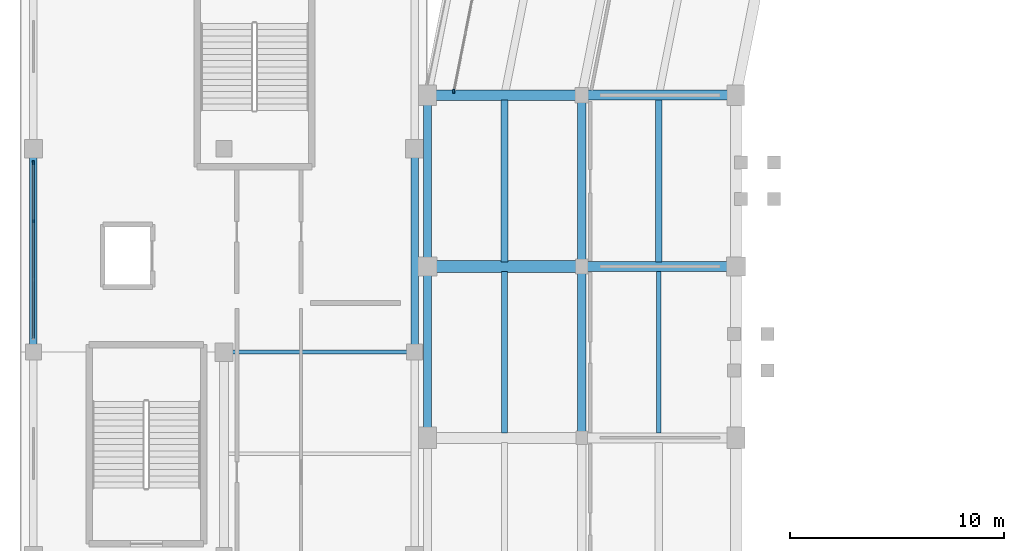
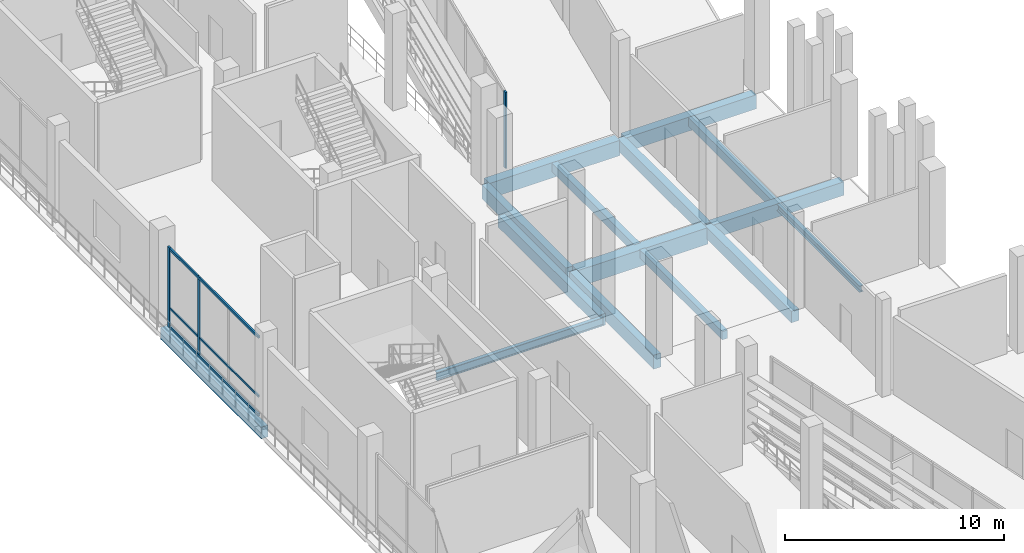
# One storey, part 27 of 114: 15 beams, 6 members, 2 elements without a shape of their own.
"""IFC4 building model written with IfcOpenShell, lengths in metres."""

from ifc_helpers import new_model, si_unit, direction, frame, origin, origin_2d, place, context, subcontext, project, spatial, rectangle, i_section, extrude, material, material_profile, profile_set, type_object, element, aggregate, save


model = new_model("IFC4")

# Units and contexts
model_context = context("Model", 3, precision=1e-05, world=origin(), true_north=direction((0.0, 1.0)))
body_context = subcontext(model_context, "Body", "Model", "MODEL_VIEW")
ifc_project = project(units=[si_unit("LENGTHUNIT", "METRE"), si_unit("AREAUNIT", "SQUARE_METRE"), si_unit("VOLUMEUNIT", "CUBIC_METRE"), si_unit("PLANEANGLEUNIT", "RADIAN"), si_unit("MASSUNIT", "GRAM", prefix="KILO")], contexts=[model_context])

# Site, building, storey
site_placement = place(None, origin())
site = spatial("IfcSite", under=ifc_project, at=site_placement, CompositionType="ELEMENT")
building_placement = place(site_placement, origin())
building = spatial("IfcBuilding", under=site, at=building_placement, Name="Candeia Ridge Stadium", CompositionType="ELEMENT")
storey_placement = place(building_placement, frame((0.0, 0.0, 5.39990234375)))
storey = spatial("IfcBuildingStorey", under=building, at=storey_placement, Name="L01", CompositionType="ELEMENT", Elevation=5.39990234375)

# Beams
ifc_material_1 = material(Name="Concrete C45/55", Category="concrete")
ifc_material_profile_1 = material_profile(ifc_material_1, rectangle(XDim=0.449951171875, YDim=0.75, at=origin_2d()), Name="RC450x750", Category="concrete")
ifc_profile_set_1 = profile_set([ifc_material_profile_1], Name="Concrete C45/55")
beam_type_1 = type_object("IfcBeamType", Name="Bowl Radial Girder RC450x750", PredefinedType="BEAM", material=ifc_profile_set_1)
beam_1_placement = place(storey_placement, frame((33.239990234375, 87.0, -0.635009765625), z_axis=(-1.0, 0.0, 0.0), x_axis=(0.0, -1.0, 0.0)))
element("IfcBeam", 1, at=beam_1_placement, inside=storey, type_object=beam_type_1, Name="Bowl radial girder BM-L01-0025", PredefinedType="BEAM", context=body_context, shape_type="SweptSolid", body=[
    extrude(rectangle(XDim=0.449951171875, YDim=0.75, at=origin_2d()), origin(), (0.0, 0.0, 1.0), 6.8798828125),
])
ifc_material_2 = material(Name="Steel ASTM A572 Grade 50", Category="steel")
ifc_material_profile_2 = material_profile(ifc_material_2, i_section(OverallWidth=0.205078125, OverallDepth=0.35400390625, WebThickness=0.009521484375, FlangeThickness=0.016845703125, FilletRadius=0.014892578125, at=origin_2d()), Name="W360x79", Category="steel")
ifc_profile_set_2 = profile_set([ifc_material_profile_2], Name="Steel ASTM A572 Grade 50")
beam_type_2 = type_object("IfcBeamType", Name="Concourse Secondary Joist W360x79", PredefinedType="JOIST", material=ifc_profile_set_2)
beam_2_placement = place(storey_placement, frame((29.800048828125, 86.778076171875, -0.43701171875), z_axis=(0.0, -1.0, 0.0), x_axis=(1.0, 0.0, 0.0)))
element("IfcBeam", 2, at=beam_2_placement, inside=storey, type_object=beam_type_2, Name="Concourse secondary joist BM-L01-0131", PredefinedType="JOIST", context=body_context, shape_type="SweptSolid", body=[
    extrude(i_section(OverallWidth=0.205078125, OverallDepth=0.35400390625, WebThickness=0.009521484375, FlangeThickness=0.016845703125, FilletRadius=0.014892578125, at=origin_2d()), origin(), (0.0, 0.0, 1.0), 7.55615234375),
])

# Curtain wall, member
ifc_material_3 = material(Name="Aluminium Anodized Warm Bronze", Category="aluminium")
curtain_wall_type_1 = type_object("IfcCurtainWallType", Name="Concourse Recessed Unitised Curtain Wall", PredefinedType="NOTDEFINED", material=ifc_material_3)
curtain_wall_1_placement = place(storey_placement, origin())
curtain_wall_1 = element("IfcCurtainWall", 3, at=curtain_wall_1_placement, inside=storey, type_object=curtain_wall_type_1, Name="Unitised curtain wall CW-BWL-L01-10", PredefinedType="NOTDEFINED")
ifc_material_profile_3 = material_profile(ifc_material_3, rectangle(XDim=0.090087890625, YDim=0.179931640625, at=origin_2d()), Name="CWM-90x180", Category="aluminium")
ifc_profile_set_3 = profile_set([ifc_material_profile_3], Name="Aluminium Anodized Warm Bronze")
member_type_1 = type_object("IfcMemberType", Name="Curtain Wall Primary Mullion 90x180", PredefinedType="MULLION", material=ifc_profile_set_3)
member_1_placement = place(storey_placement, frame((20.235107421875, 95.176513671875, 0.0), z_axis=(0.0, 0.0, 1.0), x_axis=(1.0, 0.0, 0.0)))
member_1 = element("IfcMember", 4, at=member_1_placement, type_object=member_type_1, Name="Curtain wall mullion CW-BWL-L01-10-M7", PredefinedType="MULLION", context=body_context, shape_type="SweptSolid", body=[
    extrude(rectangle(XDim=0.090087890625, YDim=0.179931640625, at=origin_2d()), origin(), (0.0, 0.0, 1.0), 4.2451171875),
])
aggregate(curtain_wall_1, [member_1])

# Curtain wall, members
curtain_wall_type_2 = type_object("IfcCurtainWallType", Name="Cardinal Entrance Gate Tall Glazed Curtain Wall", PredefinedType="NOTDEFINED", material=ifc_material_3)
curtain_wall_2_placement = place(storey_placement, origin())
curtain_wall_2 = element("IfcCurtainWall", 5, at=curtain_wall_2_placement, inside=storey, type_object=curtain_wall_type_2, Name="Unitised curtain wall CW-WNG-L01-078", PredefinedType="NOTDEFINED")
member_2_placement = place(storey_placement, frame((0.60009765625, 91.840087890625, 0.0), z_axis=(0.0, 0.0, 1.0), x_axis=(1.0, 0.0, 0.0)))
member_2 = element("IfcMember", 6, at=member_2_placement, type_object=member_type_1, Name="Curtain wall mullion CW-WNG-L01-078-M3", PredefinedType="MULLION", context=body_context, shape_type="SweptSolid", body=[
    extrude(rectangle(XDim=0.090087890625, YDim=0.179931640625, at=origin_2d()), origin(), (0.0, 0.0, 1.0), 4.47509765625),
])
ifc_material_profile_4 = material_profile(ifc_material_3, rectangle(XDim=0.074951171875, YDim=0.14990234375, at=origin_2d()), Name="CWM-75x150", Category="aluminium")
ifc_profile_set_4 = profile_set([ifc_material_profile_4], Name="Aluminium Anodized Warm Bronze")
member_type_2 = type_object("IfcMemberType", Name="Curtain Wall Secondary Mullion 75x150", PredefinedType="MULLION", material=ifc_profile_set_4)
member_3_placement = place(storey_placement, frame((0.60009765625, 89.11328125, 0.0), z_axis=(0.0, 0.0, 1.0), x_axis=(1.0, 0.0, 0.0)))
member_3 = element("IfcMember", 7, at=member_3_placement, type_object=member_type_2, Name="Curtain wall mullion CW-WNG-L01-078-M2", PredefinedType="MULLION", context=body_context, shape_type="SweptSolid", body=[
    extrude(rectangle(XDim=0.074951171875, YDim=0.14990234375, at=origin_2d()), origin(), (0.0, 0.0, 1.0), 4.47509765625),
])
ifc_material_profile_5 = material_profile(ifc_material_3, rectangle(XDim=0.074951171875, YDim=0.110107421875, at=origin_2d()), Name="CWT-75x110", Category="aluminium")
ifc_profile_set_5 = profile_set([ifc_material_profile_5], Name="Aluminium Anodized Warm Bronze")
member_type_3 = type_object("IfcMemberType", Name="Curtain Wall Secondary Transom 75x110", PredefinedType="USERDEFINED", material=ifc_profile_set_5)
member_4_placement = place(storey_placement, frame((0.60009765625, 83.659912109375, 1.10009765625), z_axis=(0.0, 1.0, 0.0), x_axis=(-1.0, 0.0, 0.0)))
member_4 = element("IfcMember", 8, at=member_4_placement, type_object=member_type_3, Name="Curtain wall transom CW-WNG-L01-078-T1", ObjectType="TRANSOM", PredefinedType="USERDEFINED", context=body_context, shape_type="SweptSolid", body=[
    extrude(rectangle(XDim=0.074951171875, YDim=0.110107421875, at=origin_2d()), origin(), (0.0, 0.0, 1.0), 8.18017578125),
])
ifc_material_profile_6 = material_profile(ifc_material_3, rectangle(XDim=0.090087890625, YDim=0.139892578125, at=origin_2d()), Name="CWT-90x140", Category="aluminium")
ifc_profile_set_6 = profile_set([ifc_material_profile_6], Name="Aluminium Anodized Warm Bronze")
member_type_4 = type_object("IfcMemberType", Name="Curtain Wall Transom 90x140", PredefinedType="USERDEFINED", material=ifc_profile_set_6)
member_5_placement = place(storey_placement, frame((0.60009765625, 83.659912109375, 0.070068359375), z_axis=(0.0, 1.0, 0.0), x_axis=(-1.0, 0.0, 0.0)))
member_5 = element("IfcMember", 9, at=member_5_placement, type_object=member_type_4, Name="Curtain wall transom CW-WNG-L01-078-T0", ObjectType="TRANSOM", PredefinedType="USERDEFINED", context=body_context, shape_type="SweptSolid", body=[
    extrude(rectangle(XDim=0.090087890625, YDim=0.139892578125, at=origin_2d()), origin(), (0.0, 0.0, 1.0), 8.18017578125),
])
member_6_placement = place(storey_placement, frame((0.60009765625, 83.659912109375, 4.405029296875), z_axis=(0.0, 1.0, 0.0), x_axis=(-1.0, 0.0, 0.0)))
member_6 = element("IfcMember", 10, at=member_6_placement, type_object=member_type_4, Name="Curtain wall transom CW-WNG-L01-078-T2", ObjectType="TRANSOM", PredefinedType="USERDEFINED", context=body_context, shape_type="SweptSolid", body=[
    extrude(rectangle(XDim=0.090087890625, YDim=0.139892578125, at=origin_2d()), origin(), (0.0, 0.0, 1.0), 8.18017578125),
])
aggregate(curtain_wall_2, [member_3, member_2, member_5, member_4, member_6])

# Beams
ifc_material_4 = material(Name="Concrete C40/50", Category="concrete")
ifc_material_profile_7 = material_profile(ifc_material_4, rectangle(XDim=0.280029296875, YDim=0.4599609375, at=origin_2d()), Name="RC280x460", Category="concrete")
ifc_profile_set_7 = profile_set([ifc_material_profile_7], Name="Concrete C40/50")
beam_type_3 = type_object("IfcBeamType", Name="Floor Joist RC280x460", PredefinedType="JOIST", material=ifc_profile_set_7)
beam_3_placement = place(storey_placement, frame((22.60009765625, 86.778076171875, -0.489990234375), z_axis=(0.0, -1.0, 0.0), x_axis=(1.0, 0.0, 0.0)))
element("IfcBeam", 11, at=beam_3_placement, inside=storey, type_object=beam_type_3, Name="Concourse secondary joist BM-L01-0132", PredefinedType="JOIST", context=body_context, shape_type="SweptSolid", body=[
    extrude(rectangle(XDim=0.280029296875, YDim=0.4599609375, at=origin_2d()), origin(), (0.0, 0.0, 1.0), 7.55615234375),
])
ifc_material_profile_8 = material_profile(ifc_material_4, rectangle(XDim=0.31005859375, YDim=0.489990234375, at=origin_2d()), Name="RC310x490", Category="concrete")
ifc_profile_set_8 = profile_set([ifc_material_profile_8], Name="Concrete C40/50")
beam_type_4 = type_object("IfcBeamType", Name="Floor Joist RC310x490", PredefinedType="JOIST", material=ifc_profile_set_8)
beam_4_placement = place(storey_placement, frame((29.800048828125, 94.778076171875, -0.5048828125), z_axis=(0.0, -1.0, 0.0), x_axis=(1.0, 0.0, 0.0)))
element("IfcBeam", 12, at=beam_4_placement, inside=storey, type_object=beam_type_4, Name="Concourse secondary joist BM-L01-0126", PredefinedType="JOIST", context=body_context, shape_type="SweptSolid", body=[
    extrude(rectangle(XDim=0.31005859375, YDim=0.489990234375, at=origin_2d()), origin(), (0.0, 0.0, 1.0), 7.55615234375),
])
ifc_material_profile_9 = material_profile(ifc_material_4, rectangle(XDim=0.320068359375, YDim=0.47998046875, at=origin_2d()), Name="RC320x480", Category="concrete")
ifc_profile_set_9 = profile_set([ifc_material_profile_9], Name="Concrete C40/50")
beam_type_5 = type_object("IfcBeamType", Name="Floor Joist RC320x480", PredefinedType="JOIST", material=ifc_profile_set_9)
beam_5_placement = place(storey_placement, frame((22.60009765625, 94.778076171875, -0.5), z_axis=(0.0, -1.0, 0.0), x_axis=(1.0, 0.0, 0.0)))
element("IfcBeam", 13, at=beam_5_placement, inside=storey, type_object=beam_type_5, Name="Concourse secondary joist BM-L01-0127", PredefinedType="JOIST", context=body_context, shape_type="SweptSolid", body=[
    extrude(rectangle(XDim=0.320068359375, YDim=0.47998046875, at=origin_2d()), origin(), (0.0, 0.0, 1.0), 7.55615234375),
])
ifc_material_profile_10 = material_profile(ifc_material_4, rectangle(XDim=0.4599609375, YDim=0.780029296875, at=origin_2d()), Name="RC460x780", Category="concrete")
ifc_profile_set_10 = profile_set([ifc_material_profile_10], Name="Concrete C40/50")
beam_type_6 = type_object("IfcBeamType", Name="Frame Girder RC460x780", PredefinedType="BEAM", material=ifc_profile_set_10)
beam_6_placement = place(storey_placement, frame((33.239990234375, 95.0, -0.64990234375), z_axis=(-1.0, 0.0, 0.0), x_axis=(0.0, -1.0, 0.0)))
element("IfcBeam", 14, at=beam_6_placement, inside=storey, type_object=beam_type_6, Name="Bowl radial girder BM-L01-0023", PredefinedType="BEAM", context=body_context, shape_type="SweptSolid", body=[
    extrude(rectangle(XDim=0.4599609375, YDim=0.780029296875, at=origin_2d()), origin(), (0.0, 0.0, 1.0), 6.8798828125),
])
ifc_material_profile_11 = material_profile(ifc_material_1, rectangle(XDim=0.5, YDim=0.85009765625, at=origin_2d()), Name="RC500x850", Category="concrete")
ifc_profile_set_11 = profile_set([ifc_material_profile_11], Name="Concrete C45/55")
beam_type_7 = type_object("IfcBeamType", Name="Frame Girder RC500x850", PredefinedType="BEAM", material=ifc_profile_set_11)
beam_7_placement = place(storey_placement, frame((26.0400390625, 95.0, -0.684814453125), z_axis=(-1.0, 0.0, 0.0), x_axis=(0.0, -1.0, 0.0)))
element("IfcBeam", 15, at=beam_7_placement, inside=storey, type_object=beam_type_7, Name="Bowl radial girder BM-L01-0024", PredefinedType="BEAM", context=body_context, shape_type="SweptSolid", body=[
    extrude(rectangle(XDim=0.5, YDim=0.85009765625, at=origin_2d()), origin(), (0.0, 0.0, 1.0), 6.880126953125),
])
ifc_material_profile_12 = material_profile(ifc_material_1, rectangle(XDim=0.550048828125, YDim=0.919921875, at=origin_2d()), Name="RC550x920", Category="concrete")
ifc_profile_set_12 = profile_set([ifc_material_profile_12], Name="Concrete C45/55")
beam_type_8 = type_object("IfcBeamType", Name="Frame Girder RC550x920", PredefinedType="BEAM", material=ifc_profile_set_12)
beam_8_placement = place(storey_placement, frame((26.0400390625, 87.0, -0.719970703125), z_axis=(-1.0, 0.0, 0.0), x_axis=(0.0, -1.0, 0.0)))
element("IfcBeam", 16, at=beam_8_placement, inside=storey, type_object=beam_type_8, Name="Bowl radial girder BM-L01-0026", PredefinedType="BEAM", context=body_context, shape_type="SweptSolid", body=[
    extrude(rectangle(XDim=0.550048828125, YDim=0.919921875, at=origin_2d()), origin(), (0.0, 0.0, 1.0), 6.880126953125),
])
ifc_material_profile_13 = material_profile(ifc_material_2, i_section(OverallWidth=0.18994140625, OverallDepth=0.45703125, WebThickness=0.009033203125, FlangeThickness=0.014404296875, FilletRadius=0.012939453125, at=origin_2d()), Name="W460x74", Category="steel")
ifc_profile_set_13 = profile_set([ifc_material_profile_13], Name="Steel ASTM A572 Grade 50")
beam_type_9 = type_object("IfcBeamType", Name="Pavilion Steel Girder W460x74", PredefinedType="BEAM", material=ifc_profile_set_13)
beam_9_placement = place(storey_placement, frame((9.550048828125, 83.0, -0.48828125), z_axis=(1.0, 0.0, 0.0), x_axis=(0.0, 1.0, 0.0)))
element("IfcBeam", 17, at=beam_9_placement, inside=storey, type_object=beam_type_9, Name="Structural girder BM-L01-1102", PredefinedType="BEAM", context=body_context, shape_type="SweptSolid", body=[
    extrude(i_section(OverallWidth=0.18994140625, OverallDepth=0.45703125, WebThickness=0.009033203125, FlangeThickness=0.014404296875, FilletRadius=0.012939453125, at=origin_2d()), origin(), (0.0, 0.0, 1.0), 8.800048828125),
])
ifc_material_profile_14 = material_profile(ifc_material_4, rectangle(XDim=0.35009765625, YDim=0.64990234375, at=origin_2d()), Name="RC350x650", Category="concrete")
ifc_profile_set_14 = profile_set([ifc_material_profile_14], Name="Concrete C40/50")
beam_type_10 = type_object("IfcBeamType", Name="Spandrel Beam RC350x650", PredefinedType="SPANDREL", material=ifc_profile_set_14)
for number, where, z_axis, x_axis, name in (
    (18, (0.60009765625, 83.159912109375, -0.5849609375), (0.0, 1.0, 0.0), (-1.0, 0.0, 0.0), "Structural girder BM-L01-1040"),
    (19, (18.39990234375, 83.159912109375, -0.5849609375), (0.0, 1.0, 0.0), (-1.0, 0.0, 0.0), "Structural girder BM-L01-1065"),
):
    element("IfcBeam", number, at=place(storey_placement, frame(where, z_axis=z_axis, x_axis=x_axis)), inside=storey, type_object=beam_type_10, Name=name, PredefinedType="SPANDREL", context=body_context, shape_type="SweptSolid", body=[
        extrude(rectangle(XDim=0.35009765625, YDim=0.64990234375, at=origin_2d()), origin(), (0.0, 0.0, 1.0), 9.18017578125),
    ])
ifc_material_profile_15 = material_profile(ifc_material_1, rectangle(XDim=0.3798828125, YDim=0.780029296875, at=origin_2d()), Name="RC380x780", Category="concrete")
ifc_profile_set_15 = profile_set([ifc_material_profile_15], Name="Concrete C45/55")
beam_type_11 = type_object("IfcBeamType", Name="Spandrel Beam RC380x780", PredefinedType="SPANDREL", material=ifc_profile_set_15)
for number, where, z_axis, x_axis, name in (
    (20, (19.0, 94.840087890625, -0.64990234375), (0.0, -1.0, 0.0), (1.0, 0.0, 0.0), "Bowl perimeter spandrel BM-L01-0125"),
    (21, (19.0, 86.840087890625, -0.64990234375), (0.0, -1.0, 0.0), (1.0, 0.0, 0.0), "Bowl perimeter spandrel BM-L01-0130"),
):
    element("IfcBeam", number, at=place(storey_placement, frame(where, z_axis=z_axis, x_axis=x_axis)), inside=storey, type_object=beam_type_11, Name=name, PredefinedType="SPANDREL", context=body_context, shape_type="SweptSolid", body=[
        extrude(rectangle(XDim=0.3798828125, YDim=0.780029296875, at=origin_2d()), origin(), (0.0, 0.0, 1.0), 7.68017578125),
    ])
ifc_material_profile_16 = material_profile(ifc_material_4, rectangle(XDim=0.39990234375, YDim=0.64990234375, at=origin_2d()), Name="RC400x650", Category="concrete")
ifc_profile_set_16 = profile_set([ifc_material_profile_16], Name="Concrete C40/50")
beam_type_12 = type_object("IfcBeamType", Name="Wing Primary Girder RC400x650", PredefinedType="BEAM", material=ifc_profile_set_16)
for number, where, z_axis, x_axis, name in (
    (22, (26.199951171875, 94.949951171875, -0.5849609375), (0.0, -1.0, 0.0), (1.0, 0.0, 0.0), "Concourse spine girder BM-L01-0124"),
    (23, (26.199951171875, 86.949951171875, -0.5849609375), (0.0, -1.0, 0.0), (1.0, 0.0, 0.0), "Concourse spine girder BM-L01-0129"),
):
    element("IfcBeam", number, at=place(storey_placement, frame(where, z_axis=z_axis, x_axis=x_axis)), inside=storey, type_object=beam_type_12, Name=name, PredefinedType="BEAM", context=body_context, shape_type="SweptSolid", body=[
        extrude(rectangle(XDim=0.39990234375, YDim=0.64990234375, at=origin_2d()), origin(), (0.0, 0.0, 1.0), 7.89990234375),
    ])

save(model, "model.ifc")
